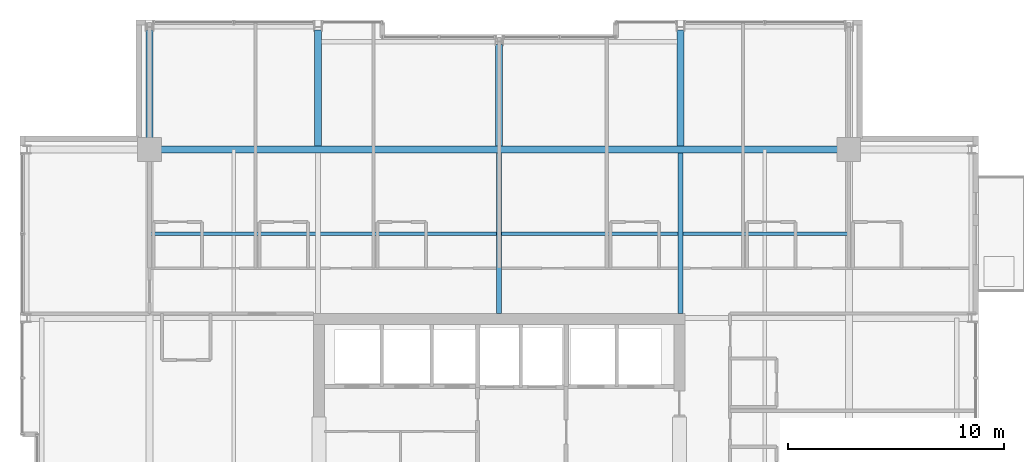
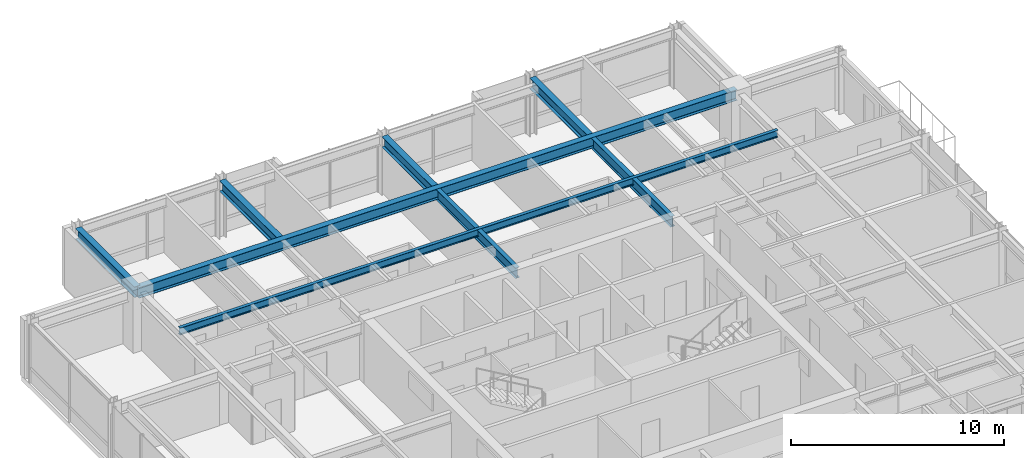
# One storey, part 20 of 34: 8 beams.
"""IFC4 building model written with IfcOpenShell, lengths in metres."""

from ifc_helpers import new_model, si_unit, direction, frame, origin, origin_2d, place, context, subcontext, project, spatial, i_section, extrude, material, material_profile, profile_set, type_object, element, save


model = new_model("IFC4")

# Units and contexts
model_context = context("Model", 3, precision=1e-05, world=origin(), true_north=direction((0.0, 1.0)))
body_context = subcontext(model_context, "Body", "Model", "MODEL_VIEW")
ifc_project = project(units=[si_unit("LENGTHUNIT", "METRE"), si_unit("AREAUNIT", "SQUARE_METRE"), si_unit("VOLUMEUNIT", "CUBIC_METRE"), si_unit("PLANEANGLEUNIT", "RADIAN"), si_unit("MASSUNIT", "GRAM", prefix="KILO")], contexts=[model_context])

# Site, building, storey
site_placement = place(None, origin())
site = spatial("IfcSite", under=ifc_project, at=site_placement, CompositionType="ELEMENT")
building_placement = place(site_placement, origin())
building = spatial("IfcBuilding", under=site, at=building_placement, Name="Drelvath Grand Hotel", CompositionType="ELEMENT")
storey_placement = place(building_placement, frame((0.0, 0.0, 208.699951171875)))
storey = spatial("IfcBuildingStorey", under=building, at=storey_placement, Name="L54", CompositionType="ELEMENT", Elevation=208.699951171875)

# Beams
ifc_material = material(Name="Steel ASTM A992 Gr 50", Category="steel")
ifc_material_profile_1 = material_profile(ifc_material, i_section(OverallWidth=0.177734375, OverallDepth=0.40673828125, WebThickness=0.0078125, FlangeThickness=0.0126953125, FilletRadius=0.014892578125, at=origin_2d()), Name="W16X40")
ifc_profile_set_1 = profile_set([ifc_material_profile_1], Name="Steel ASTM A992 Gr 50")
beam_type_1 = type_object("IfcBeamType", Name="Composite Floor Joist W16X40", PredefinedType="JOIST", material=ifc_profile_set_1)
beam_1_placement = place(storey_placement, frame((-16.199951171875, 39.300048828125, 3.13671875), z_axis=(1.0, 0.0, 0.0), x_axis=(0.0, 1.0, 0.0)))
element("IfcBeam", 1, at=beam_1_placement, inside=storey, type_object=beam_type_1, Name="L54 Floor Joist J2", PredefinedType="JOIST", context=body_context, shape_type="SweptSolid", body=[
    extrude(i_section(OverallWidth=0.177734375, OverallDepth=0.40673828125, WebThickness=0.0078125, FlangeThickness=0.0126953125, FilletRadius=0.014892578125, at=origin_2d()), origin(), (0.0, 0.0, 1.0), 32.39990234375),
])
ifc_material_profile_2 = material_profile(ifc_material, i_section(OverallWidth=0.323974609375, OverallDepth=0.611083984375, WebThickness=0.0126953125, FlangeThickness=0.01904296875, FilletRadius=0.02197265625, at=origin_2d()), Name="W24X104")
ifc_profile_set_2 = profile_set([ifc_material_profile_2], Name="Steel ASTM A992 Gr 50")
beam_type_2 = type_object("IfcBeamType", Name="Primary Floor Girder W24X104", PredefinedType="BEAM", material=ifc_profile_set_2)
beam_2_placement = place(storey_placement, frame((-16.199951171875, 43.199951171875, 3.034423828125), z_axis=(1.0, 0.0, 0.0), x_axis=(0.0, 1.0, 0.0)))
element("IfcBeam", 2, at=beam_2_placement, inside=storey, type_object=beam_type_2, Name="L54 Mega Ring Girder North", PredefinedType="BEAM", context=body_context, shape_type="SweptSolid", body=[
    extrude(i_section(OverallWidth=0.323974609375, OverallDepth=0.611083984375, WebThickness=0.0126953125, FlangeThickness=0.01904296875, FilletRadius=0.02197265625, at=origin_2d()), origin(), (0.0, 0.0, 1.0), 32.39990234375),
])
beam_3_placement = place(storey_placement, frame((-16.199951171875, 43.199951171875, 3.034423828125), z_axis=(0.0, 1.0, 0.0), x_axis=(-1.0, 0.0, 0.0)))
element("IfcBeam", 3, at=beam_3_placement, inside=storey, type_object=beam_type_2, Name="L54 North Grid Girder 3", PredefinedType="BEAM", context=body_context, shape_type="SweptSolid", body=[
    extrude(i_section(OverallWidth=0.323974609375, OverallDepth=0.611083984375, WebThickness=0.0126953125, FlangeThickness=0.01904296875, FilletRadius=0.02197265625, at=origin_2d()), origin(), (0.0, 0.0, 1.0), 5.5400390625),
])
beam_4_placement = place(storey_placement, frame((-8.39990234375, 43.362060546875, 3.034423828125), z_axis=(0.0, 1.0, 0.0), x_axis=(-1.0, 0.0, 0.0)))
element("IfcBeam", 4, at=beam_4_placement, inside=storey, type_object=beam_type_2, Name="L54 North Wing Girder 4", PredefinedType="BEAM", context=body_context, shape_type="SweptSolid", body=[
    extrude(i_section(OverallWidth=0.323974609375, OverallDepth=0.611083984375, WebThickness=0.0126953125, FlangeThickness=0.01904296875, FilletRadius=0.02197265625, at=origin_2d()), origin(), (0.0, 0.0, 1.0), 5.3779296875),
])
beam_5_placement = place(storey_placement, frame((0.0, 43.362060546875, 3.034423828125), z_axis=(0.0, 1.0, 0.0), x_axis=(-1.0, 0.0, 0.0)))
element("IfcBeam", 5, at=beam_5_placement, inside=storey, type_object=beam_type_2, Name="L54 North Wing Girder 5", PredefinedType="BEAM", context=body_context, shape_type="SweptSolid", body=[
    extrude(i_section(OverallWidth=0.323974609375, OverallDepth=0.611083984375, WebThickness=0.0126953125, FlangeThickness=0.01904296875, FilletRadius=0.02197265625, at=origin_2d()), origin(), (0.0, 0.0, 1.0), 4.697998046875),
])
beam_6_placement = place(storey_placement, frame((8.39990234375, 43.362060546875, 3.034423828125), z_axis=(0.0, 1.0, 0.0), x_axis=(-1.0, 0.0, 0.0)))
element("IfcBeam", 6, at=beam_6_placement, inside=storey, type_object=beam_type_2, Name="L54 North Wing Girder 6", PredefinedType="BEAM", context=body_context, shape_type="SweptSolid", body=[
    extrude(i_section(OverallWidth=0.323974609375, OverallDepth=0.611083984375, WebThickness=0.0126953125, FlangeThickness=0.01904296875, FilletRadius=0.02197265625, at=origin_2d()), origin(), (0.0, 0.0, 1.0), 5.3779296875),
])
ifc_material_profile_3 = material_profile(ifc_material, i_section(OverallWidth=0.228271484375, OverallDepth=0.607666015625, WebThickness=0.01123046875, FlangeThickness=0.017333984375, FilletRadius=0.02001953125, at=origin_2d()), Name="W24X76")
ifc_profile_set_3 = profile_set([ifc_material_profile_3], Name="Steel ASTM A992 Gr 50")
beam_type_3 = type_object("IfcBeamType", Name="Primary Floor Girder W24X76", PredefinedType="BEAM", material=ifc_profile_set_3)
for number, where, z_axis, x_axis, name in (
    (7, (0.0, 35.60009765625, 3.0361328125), (0.0, 1.0, 0.0), (-1.0, 0.0, 0.0), "L54 North Core Tie 5"),
    (8, (8.39990234375, 35.60009765625, 3.0361328125), (0.0, 1.0, 0.0), (-1.0, 0.0, 0.0), "L54 North Core Tie 6"),
):
    element("IfcBeam", number, at=place(storey_placement, frame(where, z_axis=z_axis, x_axis=x_axis)), inside=storey, type_object=beam_type_3, Name=name, PredefinedType="BEAM", context=body_context, shape_type="SweptSolid", body=[
        extrude(i_section(OverallWidth=0.228271484375, OverallDepth=0.607666015625, WebThickness=0.01123046875, FlangeThickness=0.017333984375, FilletRadius=0.02001953125, at=origin_2d()), origin(), (0.0, 0.0, 1.0), 7.43798828125),
    ])

save(model, "model.ifc")
